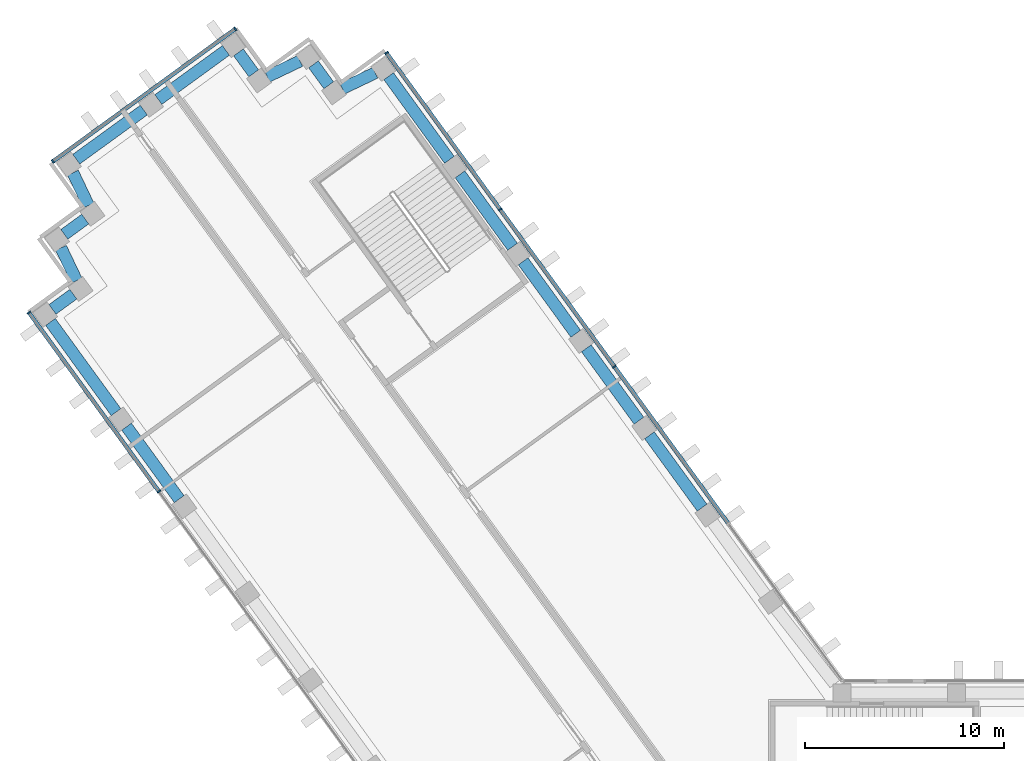
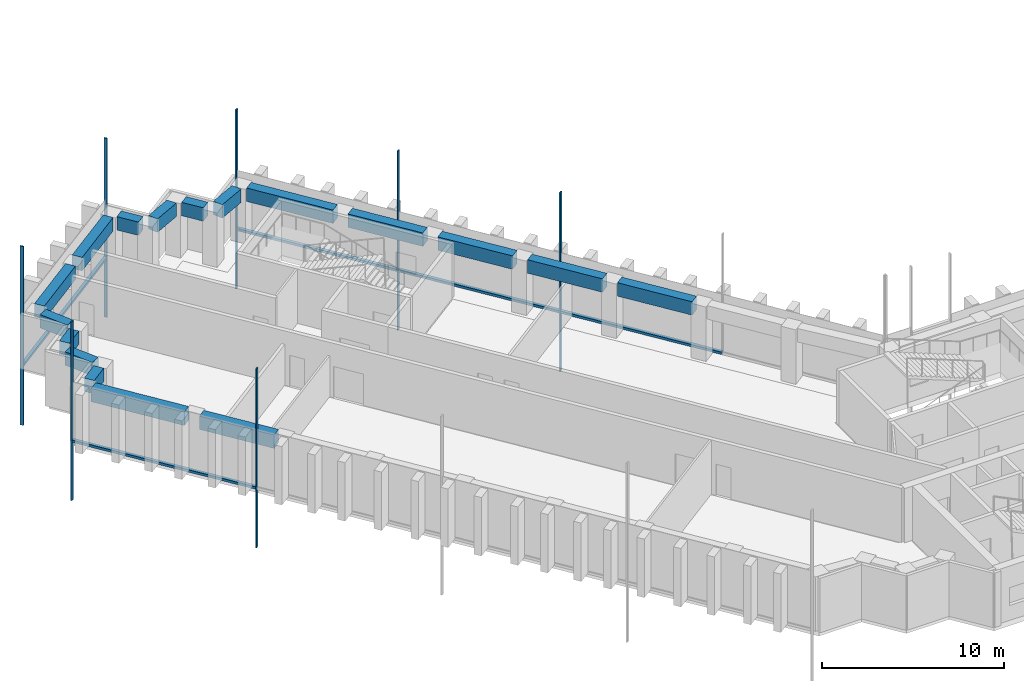
# One storey, part 4 of 16: 17 beams, 12 members, 3 elements without a shape of their own.
"""IFC4 building model written with IfcOpenShell, lengths in metres."""

from ifc_helpers import new_model, si_unit, direction, frame, origin, origin_2d, place, context, subcontext, project, spatial, rectangle, extrude, material, material_profile, profile_set, type_object, element, aggregate, save


model = new_model("IFC4")

# Units and contexts
model_context = context("Model", 3, precision=1e-05, world=origin(), true_north=direction((0.0, 1.0)))
body_context = subcontext(model_context, "Body", "Model", "MODEL_VIEW")
ifc_project = project(units=[si_unit("LENGTHUNIT", "METRE"), si_unit("AREAUNIT", "SQUARE_METRE"), si_unit("VOLUMEUNIT", "CUBIC_METRE"), si_unit("PLANEANGLEUNIT", "RADIAN"), si_unit("MASSUNIT", "GRAM", prefix="KILO")], contexts=[model_context])

# Site, building, storey
site_placement = place(None, origin())
site = spatial("IfcSite", under=ifc_project, at=site_placement, CompositionType="ELEMENT")
building_placement = place(site_placement, origin())
building = spatial("IfcBuilding", under=site, at=building_placement, Name="Quipu Civic Tower", CompositionType="ELEMENT")
storey_placement = place(building_placement, frame((0.0, 0.0, 113.0)))
storey = spatial("IfcBuildingStorey", under=building, at=storey_placement, Name="L26", CompositionType="ELEMENT", Elevation=113.0)

# Curtain wall, members
ifc_material_1 = material(Name="Insulated glass unit", Category="glass")
curtain_wall_type = type_object("IfcCurtainWallType", Name="Office curtain wall CW1", PredefinedType="NOTDEFINED", material=ifc_material_1)
curtain_wall_1_placement = place(storey_placement, origin())
curtain_wall_1 = element("IfcCurtainWall", 1, at=curtain_wall_1_placement, inside=storey, type_object=curtain_wall_type, Name="Office curtain wall CW1 L25 run 1", PredefinedType="NOTDEFINED")
ifc_material_2 = material(Name="Anodised aluminium", Category="aluminium")
ifc_material_profile_1 = material_profile(ifc_material_2, rectangle(XDim=0.199951171875, YDim=0.080078125, at=origin_2d()), Name="RECT 200x80")
ifc_profile_set_1 = profile_set([ifc_material_profile_1], Name="Anodised aluminium")
member_type_1 = type_object("IfcMemberType", Name="Mullion CW1", PredefinedType="MULLION", material=ifc_profile_set_1)
member_1_placement = place(storey_placement, frame((-25.819091796875, 26.893798828125, -3.919921875), z_axis=(0.0, 0.0, 1.0), x_axis=(-0.809016532822, -0.587785887566, 0.0)))
member_1 = element("IfcMember", 2, at=member_1_placement, type_object=member_type_1, Name="CW1 mullion 3", PredefinedType="MULLION", context=body_context, shape_type="SweptSolid", body=[
    extrude(rectangle(XDim=0.199951171875, YDim=0.080078125, at=origin_2d()), origin(), (0.0, 0.0, 1.0), 12.0),
])
member_2_placement = place(storey_placement, frame((-31.556396484375, 34.79052734375, -3.919921875), z_axis=(0.0, 0.0, 1.0), x_axis=(-0.809016532822, -0.587785887566, 0.0)))
member_2 = element("IfcMember", 3, at=member_2_placement, type_object=member_type_1, Name="CW1 mullion 4", PredefinedType="MULLION", context=body_context, shape_type="SweptSolid", body=[
    extrude(rectangle(XDim=0.199951171875, YDim=0.080078125, at=origin_2d()), origin(), (0.0, 0.0, 1.0), 12.0),
])
member_3_placement = place(storey_placement, frame((-37.2705078125, 42.655029296875, -3.919921875), z_axis=(0.0, 0.0, 1.0), x_axis=(-0.809016532822, -0.587785887566, 0.0)))
member_3 = element("IfcMember", 4, at=member_3_placement, type_object=member_type_1, Name="CW1 mullion 5", PredefinedType="MULLION", context=body_context, shape_type="SweptSolid", body=[
    extrude(rectangle(XDim=0.199951171875, YDim=0.080078125, at=origin_2d()), origin(), (0.0, 0.0, 1.0), 12.0),
])

curtain_wall_2_placement = place(storey_placement, origin())
curtain_wall_2 = element("IfcCurtainWall", 5, at=curtain_wall_2_placement, inside=storey, type_object=curtain_wall_type, Name="Office curtain wall CW1 L25 run 6", PredefinedType="NOTDEFINED")
member_4_placement = place(storey_placement, frame((-44.869140625, 43.858642578125, -3.919921875), z_axis=(0.0, 0.0, 1.0), x_axis=(0.587782012621, -0.809019348124, 0.0)))
member_4 = element("IfcMember", 6, at=member_4_placement, type_object=member_type_1, Name="CW1 mullion 1", PredefinedType="MULLION", context=body_context, shape_type="SweptSolid", body=[
    extrude(rectangle(XDim=0.199951171875, YDim=0.080078125, at=origin_2d()), origin(), (0.0, 0.0, 1.0), 12.0),
])
member_5_placement = place(storey_placement, frame((-54.027099609375, 37.204833984375, -3.919921875), z_axis=(0.0, 0.0, 1.0), x_axis=(0.587782012621, -0.809019348124, 0.0)))
member_5 = element("IfcMember", 7, at=member_5_placement, type_object=member_type_1, Name="CW1 mullion 2", PredefinedType="MULLION", context=body_context, shape_type="SweptSolid", body=[
    extrude(rectangle(XDim=0.199951171875, YDim=0.080078125, at=origin_2d()), origin(), (0.0, 0.0, 1.0), 12.0),
])

curtain_wall_3_placement = place(storey_placement, origin())
curtain_wall_3 = element("IfcCurtainWall", 8, at=curtain_wall_3_placement, inside=storey, type_object=curtain_wall_type, Name="Office curtain wall CW1 L25 run 11", PredefinedType="NOTDEFINED")
member_6_placement = place(storey_placement, frame((-55.23046875, 29.606201171875, -3.919921875), z_axis=(0.0, 0.0, 1.0), x_axis=(0.809016770908, 0.587785559869, 0.0)))
member_6 = element("IfcMember", 9, at=member_6_placement, type_object=member_type_1, Name="CW1 mullion 1", PredefinedType="MULLION", context=body_context, shape_type="SweptSolid", body=[
    extrude(rectangle(XDim=0.199951171875, YDim=0.080078125, at=origin_2d()), origin(), (0.0, 0.0, 1.0), 12.0),
])
member_7_placement = place(storey_placement, frame((-48.70458984375, 20.6240234375, -3.919921875), z_axis=(0.0, 0.0, 1.0), x_axis=(0.809016770908, 0.587785559869, 0.0)))
member_7 = element("IfcMember", 10, at=member_7_placement, type_object=member_type_1, Name="CW1 mullion 2", PredefinedType="MULLION", context=body_context, shape_type="SweptSolid", body=[
    extrude(rectangle(XDim=0.199951171875, YDim=0.080078125, at=origin_2d()), origin(), (0.0, 0.0, 1.0), 12.0),
])

# Beams
ifc_material_3 = material(Name="Concrete C50/60", Category="concrete")
ifc_material_profile_2 = material_profile(ifc_material_3, rectangle(XDim=0.60009765625, YDim=0.89990234375, at=origin_2d()), Name="RC600x900")
ifc_profile_set_2 = profile_set([ifc_material_profile_2], Name="Concrete C50/60")
beam_type = type_object("IfcBeamType", Name="Spandrel beam RC 600x900 C50/60", PredefinedType="SPANDREL", material=ifc_profile_set_2)
for number, where, z_axis, x_axis, name in (
    (11, (-21.411865234375, 19.807861328125, 3.199951171875), (-0.587778073121, 0.809022210299, 0.0), (-0.809022210299, -0.587778073121, 0.0), "Spandrel beam L26 W-IN-02 to W-IN-03"),
    (12, (-24.585693359375, 24.1767578125, 3.199951171875), (-0.587778073121, 0.809022210299, 0.0), (-0.809022210299, -0.587778073121, 0.0), "Spandrel beam L26 W-IN-03 to W-IN-04"),
    (13, (-27.759765625, 28.545654296875, 3.199951171875), (-0.587742561851, 0.809048009076, 0.0), (-0.809048009076, -0.587742561851, 0.0), "Spandrel beam L26 W-IN-04 to W-IN-05"),
    (14, (-30.93359375, 32.914306640625, 3.199951171875), (-0.587716763865, 0.809066749701, 0.0), (-0.809066749701, -0.587716763865, 0.0), "Spandrel beam L26 W-IN-05 to W-IN-06"),
):
    element("IfcBeam", number, at=place(storey_placement, frame(where, z_axis=z_axis, x_axis=x_axis)), inside=storey, type_object=beam_type, Name=name, PredefinedType="SPANDREL", context=body_context, shape_type="SweptSolid", body=[
        extrude(rectangle(XDim=0.60009765625, YDim=0.89990234375, at=origin_2d()), origin(), (0.0, 0.0, 1.0), 4.5),
    ])
beam_1_placement = place(storey_placement, frame((-34.107421875, 37.283203125, 3.199951171875), z_axis=(-0.587732861365, 0.80905505602, 0.0), x_axis=(-0.80905505602, -0.587732861365, 0.0)))
element("IfcBeam", 15, at=beam_1_placement, inside=storey, type_object=beam_type, Name="Spandrel beam L26 W-IN-06 to T-Wi.0-W50", PredefinedType="SPANDREL", context=body_context, shape_type="SweptSolid", body=[
    extrude(rectangle(XDim=0.60009765625, YDim=0.89990234375, at=origin_2d()), origin(), (0.0, 0.0, 1.0), 5.194580078125),
])
beam_2_placement = place(storey_placement, frame((-37.837890625, 41.65283203125, 3.199951171875), z_axis=(-0.90245397739, -0.430786279601, 0.0), x_axis=(0.430786279601, -0.90245397739, 0.0)))
element("IfcBeam", 16, at=beam_2_placement, inside=storey, type_object=beam_type, Name="Spandrel beam L26 T-Wi.0-W50 to T-Wi.1-W50", PredefinedType="SPANDREL", context=body_context, shape_type="SweptSolid", body=[
    extrude(rectangle(XDim=0.60009765625, YDim=0.89990234375, at=origin_2d()), origin(), (0.0, 0.0, 1.0), 1.83349609375),
])
beam_3_placement = place(storey_placement, frame((-40.170166015625, 41.02978515625, 3.199951171875), z_axis=(-0.588461937499, 0.808524921146, 0.0), x_axis=(-0.808524921146, -0.588461937499, 0.0)))
element("IfcBeam", 17, at=beam_3_placement, inside=storey, type_object=beam_type, Name="Spandrel beam L26 T-Wi.1-W50 to T-Wi.2-W50", PredefinedType="SPANDREL", context=body_context, shape_type="SweptSolid", body=[
    extrude(rectangle(XDim=0.60009765625, YDim=0.89990234375, at=origin_2d()), origin(), (0.0, 0.0, 1.0), 1.30029296875),
])
beam_4_placement = place(storey_placement, frame((-41.613037109375, 42.248046875, 3.199951171875), z_axis=(-0.902613270121, -0.430452418511, 0.0), x_axis=(0.430452418511, -0.902613270121, 0.0)))
element("IfcBeam", 18, at=beam_4_placement, inside=storey, type_object=beam_type, Name="Spandrel beam L26 T-Wi.2-W50 to T-Wi.3-W50", PredefinedType="SPANDREL", context=body_context, shape_type="SweptSolid", body=[
    extrude(rectangle(XDim=0.60009765625, YDim=0.89990234375, at=origin_2d()), origin(), (0.0, 0.0, 1.0), 1.826416015625),
])
beam_5_placement = place(storey_placement, frame((-43.939453125, 41.628662109375, 3.199951171875), z_axis=(-0.588383572423, 0.808581951136, 0.0), x_axis=(-0.808581951136, -0.588383572423, 0.0)))
element("IfcBeam", 19, at=beam_5_placement, inside=storey, type_object=beam_type, Name="Spandrel beam L26 T-Wi.3-W50 to T-Wi.4-W50", PredefinedType="SPANDREL", context=body_context, shape_type="SweptSolid", body=[
    extrude(rectangle(XDim=0.60009765625, YDim=0.89990234375, at=origin_2d()), origin(), (0.0, 0.0, 1.0), 1.3017578125),
])
beam_6_placement = place(storey_placement, frame((-45.333984375, 42.780517578125, 3.199951171875), z_axis=(-0.808969789945, -0.58785021813, 0.0), x_axis=(0.58785021813, -0.808969789945, 0.0)))
element("IfcBeam", 20, at=beam_6_placement, inside=storey, type_object=beam_type, Name="Spandrel beam L26 T-Wi.4-W50 to TIP-W-01-W50", PredefinedType="SPANDREL", context=body_context, shape_type="SweptSolid", body=[
    extrude(rectangle(XDim=0.60009765625, YDim=0.89990234375, at=origin_2d()), origin(), (0.0, 0.0, 1.0), 4.199951171875),
])
beam_7_placement = place(storey_placement, frame((-49.459716796875, 39.782470703125, 3.199951171875), z_axis=(-0.808959834407, -0.587863918196, 0.0), x_axis=(0.587863918196, -0.808959834407, 0.0)))
element("IfcBeam", 21, at=beam_7_placement, inside=storey, type_object=beam_type, Name="Spandrel beam L26 TIP-W-01-W50 to T-Wo.0-W50", PredefinedType="SPANDREL", context=body_context, shape_type="SweptSolid", body=[
    extrude(rectangle(XDim=0.60009765625, YDim=0.89990234375, at=origin_2d()), origin(), (0.0, 0.0, 1.0), 4.1982421875),
])
beam_8_placement = place(storey_placement, frame((-53.023193359375, 36.63671875, 3.199951171875), z_axis=(0.430166558323, -0.902749540072, 0.0), x_axis=(0.902749540072, 0.430166558323, 0.0)))
element("IfcBeam", 22, at=beam_8_placement, inside=storey, type_object=beam_type, Name="Spandrel beam L26 T-Wo.0-W50 to T-Wo.1-W50", PredefinedType="SPANDREL", context=body_context, shape_type="SweptSolid", body=[
    extrude(rectangle(XDim=0.60009765625, YDim=0.89990234375, at=origin_2d()), origin(), (0.0, 0.0, 1.0), 1.830322265625),
])
beam_9_placement = place(storey_placement, frame((-52.40283203125, 34.306396484375, 3.199951171875), z_axis=(-0.808509099783, -0.588483674853, 0.0), x_axis=(0.588483674853, -0.808509099783, 0.0)))
element("IfcBeam", 23, at=beam_9_placement, inside=storey, type_object=beam_type, Name="Spandrel beam L26 T-Wo.1-W50 to T-Wo.2-W50", PredefinedType="SPANDREL", context=body_context, shape_type="SweptSolid", body=[
    extrude(rectangle(XDim=0.60009765625, YDim=0.89990234375, at=origin_2d()), origin(), (0.0, 0.0, 1.0), 1.302734375),
])
beam_10_placement = place(storey_placement, frame((-53.62255859375, 32.8623046875, 3.199951171875), z_axis=(0.431446050156, -0.902138739776, 0.0), x_axis=(0.902138739776, 0.431446050156, 0.0)))
element("IfcBeam", 24, at=beam_10_placement, inside=storey, type_object=beam_type, Name="Spandrel beam L26 T-Wo.2-W50 to T-Wo.3-W50", PredefinedType="SPANDREL", context=body_context, shape_type="SweptSolid", body=[
    extrude(rectangle(XDim=0.60009765625, YDim=0.89990234375, at=origin_2d()), origin(), (0.0, 0.0, 1.0), 1.828857421875),
])
beam_11_placement = place(storey_placement, frame((-53.0, 30.53466796875, 3.199951171875), z_axis=(-0.808549242423, -0.588428519514, 0.0), x_axis=(0.588428519514, -0.808549242423, 0.0)))
element("IfcBeam", 25, at=beam_11_placement, inside=storey, type_object=beam_type, Name="Spandrel beam L26 T-Wo.3-W50 to T-Wo.4-W50", PredefinedType="SPANDREL", context=body_context, shape_type="SweptSolid", body=[
    extrude(rectangle(XDim=0.60009765625, YDim=0.89990234375, at=origin_2d()), origin(), (0.0, 0.0, 1.0), 1.2998046875),
])
beam_12_placement = place(storey_placement, frame((-54.150390625, 29.140869140625, 3.199951171875), z_axis=(0.587772657145, -0.809026145135, 0.0), x_axis=(0.809026145135, 0.587772657145, 0.0)))
element("IfcBeam", 26, at=beam_12_placement, inside=storey, type_object=beam_type, Name="Spandrel beam L26 T-Wo.4-W50 to W-OUT-07", PredefinedType="SPANDREL", context=body_context, shape_type="SweptSolid", body=[
    extrude(rectangle(XDim=0.60009765625, YDim=0.89990234375, at=origin_2d()), origin(), (0.0, 0.0, 1.0), 5.603271484375),
])
beam_13_placement = place(storey_placement, frame((-50.327880859375, 23.87939453125, 3.199951171875), z_axis=(0.587778073121, -0.809022210299, 0.0), x_axis=(0.809022210299, 0.587778073121, 0.0)))
element("IfcBeam", 27, at=beam_13_placement, inside=storey, type_object=beam_type, Name="Spandrel beam L26 W-OUT-07 to W-OUT-06", PredefinedType="SPANDREL", context=body_context, shape_type="SweptSolid", body=[
    extrude(rectangle(XDim=0.60009765625, YDim=0.89990234375, at=origin_2d()), origin(), (0.0, 0.0, 1.0), 4.5),
])

# Member
ifc_material_4 = material(Name="Anodised aluminium", Category="aluminium")
ifc_material_profile_3 = material_profile(ifc_material_4, rectangle(XDim=0.199951171875, YDim=0.159912109375, at=origin_2d()), Name="RECT 200x160")
ifc_profile_set_3 = profile_set([ifc_material_profile_3], Name="Anodised aluminium")
member_type_2 = type_object("IfcMemberType", Name="Transom CW1", PredefinedType="USERDEFINED", material=ifc_profile_set_3)
member_8_placement = place(storey_placement, frame((-20.105224609375, 19.029296875, 0.080078125), z_axis=(-0.587793764301, 0.80901080997, 0.0), x_axis=(-0.80901080997, -0.587793764301, 0.0)))
member_8 = element("IfcMember", 28, at=member_8_placement, type_object=member_type_2, Name="CW1 transom 2.2", ObjectType="TRANSOM", PredefinedType="USERDEFINED", context=body_context, shape_type="SweptSolid", body=[
    extrude(rectangle(XDim=0.199951171875, YDim=0.159912109375, at=origin_2d()), origin(), (0.0, 0.0, 1.0), 9.680908203125),
])

member_9_placement = place(storey_placement, frame((-25.842529296875, 26.926025390625, 0.080078125), z_axis=(-0.58778177227, 0.809019522748, 0.0), x_axis=(-0.809019522748, -0.58778177227, 0.0)))
member_9 = element("IfcMember", 29, at=member_9_placement, type_object=member_type_2, Name="CW1 transom 3.2", ObjectType="TRANSOM", PredefinedType="USERDEFINED", context=body_context, shape_type="SweptSolid", body=[
    extrude(rectangle(XDim=0.199951171875, YDim=0.159912109375, at=origin_2d()), origin(), (0.0, 0.0, 1.0), 9.68115234375),
])

member_10_placement = place(storey_placement, frame((-31.580078125, 34.822998046875, 0.080078125), z_axis=(-0.587775627857, 0.809023986849, 0.0), x_axis=(-0.809023986849, -0.587775627857, 0.0)))
member_10 = element("IfcMember", 30, at=member_10_placement, type_object=member_type_2, Name="CW1 transom 4.2", ObjectType="TRANSOM", PredefinedType="USERDEFINED", context=body_context, shape_type="SweptSolid", body=[
    extrude(rectangle(XDim=0.199951171875, YDim=0.159912109375, at=origin_2d()), origin(), (0.0, 0.0, 1.0), 9.64111328125),
])

aggregate(curtain_wall_1, [member_1, member_2, member_3, member_8, member_9, member_10])

member_11_placement = place(storey_placement, frame((-44.9013671875, 43.8349609375, 0.080078125), z_axis=(-0.809032792449, -0.587763507495, 0.0), x_axis=(0.587763507495, -0.809032792449, 0.0)))
member_11 = element("IfcMember", 31, at=member_11_placement, type_object=member_type_2, Name="CW1 transom 1.2", ObjectType="TRANSOM", PredefinedType="USERDEFINED", context=body_context, shape_type="SweptSolid", body=[
    extrude(rectangle(XDim=0.199951171875, YDim=0.159912109375, at=origin_2d()), origin(), (0.0, 0.0, 1.0), 11.239990234375),
])

aggregate(curtain_wall_2, [member_4, member_5, member_11])

member_12_placement = place(storey_placement, frame((-55.20703125, 29.573974609375, 0.080078125), z_axis=(0.587779179422, -0.809021406539, 0.0), x_axis=(0.809021406539, 0.587779179422, 0.0)))
member_12 = element("IfcMember", 32, at=member_12_placement, type_object=member_type_2, Name="CW1 transom 1.2", ObjectType="TRANSOM", PredefinedType="USERDEFINED", context=body_context, shape_type="SweptSolid", body=[
    extrude(rectangle(XDim=0.199951171875, YDim=0.159912109375, at=origin_2d()), origin(), (0.0, 0.0, 1.0), 11.02294921875),
])

aggregate(curtain_wall_3, [member_6, member_7, member_12])

save(model, "model.ifc")
